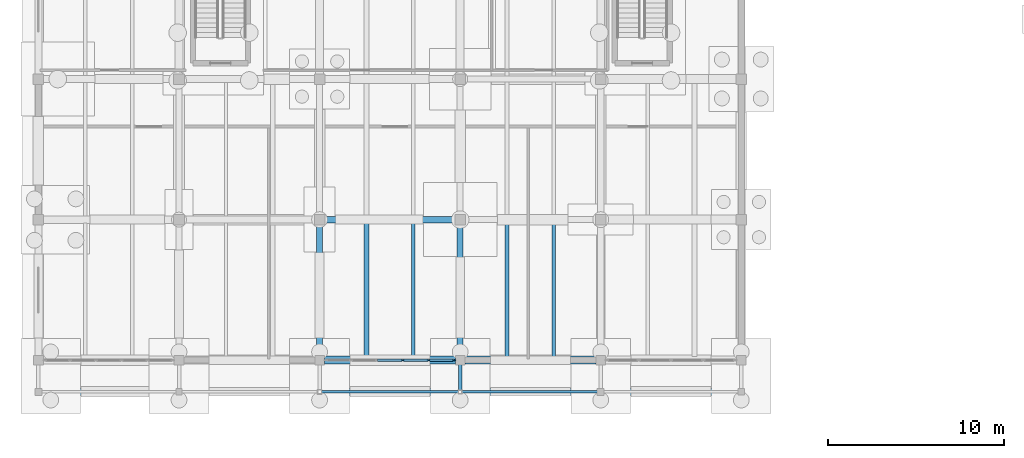
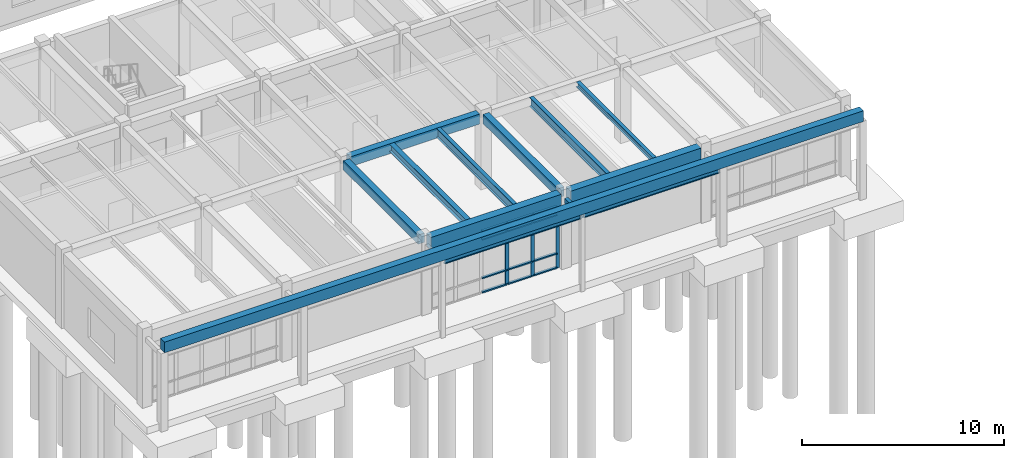
# One storey, part 14 of 64: 15 members, 13 beams, 1 element without a shape of its own.
"""IFC4 building model written with IfcOpenShell, lengths in metres."""

from ifc_helpers import new_model, si_unit, direction, frame, origin, origin_2d, place, context, subcontext, project, spatial, rectangle, hollow_rectangle, i_section, extrude, material, material_profile, profile_set, type_object, element, aggregate, save


model = new_model("IFC4")

# Units and contexts
model_context = context("Model", 3, precision=1e-05, world=origin(), true_north=direction((0.0, 1.0)))
body_context = subcontext(model_context, "Body", "Model", "MODEL_VIEW")
ifc_project = project(units=[si_unit("LENGTHUNIT", "METRE"), si_unit("AREAUNIT", "SQUARE_METRE"), si_unit("VOLUMEUNIT", "CUBIC_METRE"), si_unit("PLANEANGLEUNIT", "RADIAN"), si_unit("MASSUNIT", "GRAM", prefix="KILO")], contexts=[model_context])

# Site, building, storey
site_placement = place(None, origin())
site = spatial("IfcSite", under=ifc_project, at=site_placement, CompositionType="ELEMENT")
building_placement = place(site_placement, origin())
building = spatial("IfcBuilding", under=site, at=building_placement, Name="Tlaxcora Railside Police Headquarters", CompositionType="ELEMENT")
storey_placement = place(building_placement, origin())
storey = spatial("IfcBuildingStorey", under=building, at=storey_placement, Name="L00", CompositionType="ELEMENT", Elevation=0.0)

# Curtain wall, members
ifc_material_1 = material(Name="Thermally broken low-E insulated glazing", Category="glass")
curtain_wall_type = type_object("IfcCurtainWallType", Name="Unitised Curtain Wall Assembly CW-15", PredefinedType="NOTDEFINED", material=ifc_material_1)
curtain_wall_placement = place(storey_placement, origin())
curtain_wall = element("IfcCurtainWall", 1, at=curtain_wall_placement, inside=storey, type_object=curtain_wall_type, Name="V4 L00 curtain wall 22", PredefinedType="NOTDEFINED")
ifc_material_2 = material(Name="Anodised aluminium framing", Category="aluminium")
ifc_material_profile_1 = material_profile(ifc_material_2, rectangle(XDim=0.074951171875, YDim=0.199951171875, at=origin_2d()), Name="AL75X200")
ifc_profile_set_1 = profile_set([ifc_material_profile_1], Name="Anodised aluminium framing")
member_type_1 = type_object("IfcMemberType", Name="Curtain Wall Mullion CW-58", PredefinedType="MULLION", material=ifc_profile_set_1)
member_1_placement = place(storey_placement, frame((25.93505859375, 12.0, 0.0), z_axis=(0.0, 0.0, 1.0), x_axis=(0.0, 1.0, 0.0)))
member_1 = element("IfcMember", 2, at=member_1_placement, type_object=member_type_1, Name="CW mullion 4", PredefinedType="MULLION", context=body_context, shape_type="SweptSolid", body=[
    extrude(rectangle(XDim=0.074951171875, YDim=0.199951171875, at=origin_2d()), origin(), (0.0, 0.0, 1.0), 3.760009765625),
])
member_2_placement = place(storey_placement, frame((27.405029296875, 12.0, 0.0), z_axis=(0.0, 0.0, 1.0), x_axis=(0.0, 1.0, 0.0)))
member_2 = element("IfcMember", 3, at=member_2_placement, type_object=member_type_1, Name="CW mullion 5", PredefinedType="MULLION", context=body_context, shape_type="SweptSolid", body=[
    extrude(rectangle(XDim=0.074951171875, YDim=0.199951171875, at=origin_2d()), origin(), (0.0, 0.0, 1.0), 3.760009765625),
])
member_3_placement = place(storey_placement, frame((28.83740234375, 12.0, 0.0), z_axis=(0.0, 0.0, 1.0), x_axis=(0.0, 1.0, 0.0)))
member_3 = element("IfcMember", 4, at=member_3_placement, type_object=member_type_1, Name="CW mullion 6", PredefinedType="MULLION", context=body_context, shape_type="SweptSolid", body=[
    extrude(rectangle(XDim=0.074951171875, YDim=0.199951171875, at=origin_2d()), origin(), (0.0, 0.0, 1.0), 3.760009765625),
])
ifc_material_profile_2 = material_profile(ifc_material_2, rectangle(XDim=0.14990234375, YDim=0.074951171875, at=origin_2d()), Name="AL75X150")
ifc_profile_set_2 = profile_set([ifc_material_profile_2], Name="Anodised aluminium framing")
member_type_2 = type_object("IfcMemberType", Name="Curtain Wall Transom CW-28", PredefinedType="USERDEFINED", material=ifc_profile_set_2)
member_4_placement = place(storey_placement, frame((24.50244140625, 12.0, 0.03759765625), z_axis=(1.0, 0.0, 0.0), x_axis=(0.0, 1.0, 0.0)))
member_4 = element("IfcMember", 5, at=member_4_placement, type_object=member_type_2, Name="CW transom 3.1", ObjectType="TRANSOM", PredefinedType="USERDEFINED", context=body_context, shape_type="SweptSolid", body=[
    extrude(rectangle(XDim=0.14990234375, YDim=0.074951171875, at=origin_2d()), origin(), (0.0, 0.0, 1.0), 1.39501953125),
])
member_5_placement = place(storey_placement, frame((24.50244140625, 12.0, 0.89990234375), z_axis=(1.0, 0.0, 0.0), x_axis=(0.0, 1.0, 0.0)))
member_5 = element("IfcMember", 6, at=member_5_placement, type_object=member_type_2, Name="CW transom 3.2", ObjectType="TRANSOM", PredefinedType="USERDEFINED", context=body_context, shape_type="SweptSolid", body=[
    extrude(rectangle(XDim=0.14990234375, YDim=0.074951171875, at=origin_2d()), origin(), (0.0, 0.0, 1.0), 1.39501953125),
])
member_6_placement = place(storey_placement, frame((24.50244140625, 12.0, 3.22998046875), z_axis=(1.0, 0.0, 0.0), x_axis=(0.0, 1.0, 0.0)))
member_6 = element("IfcMember", 7, at=member_6_placement, type_object=member_type_2, Name="CW transom 3.3", ObjectType="TRANSOM", PredefinedType="USERDEFINED", context=body_context, shape_type="SweptSolid", body=[
    extrude(rectangle(XDim=0.14990234375, YDim=0.074951171875, at=origin_2d()), origin(), (0.0, 0.0, 1.0), 1.39501953125),
])
member_7_placement = place(storey_placement, frame((24.50244140625, 12.0, 3.722412109375), z_axis=(1.0, 0.0, 0.0), x_axis=(0.0, 1.0, 0.0)))
member_7 = element("IfcMember", 8, at=member_7_placement, type_object=member_type_2, Name="CW transom 3.4", ObjectType="TRANSOM", PredefinedType="USERDEFINED", context=body_context, shape_type="SweptSolid", body=[
    extrude(rectangle(XDim=0.14990234375, YDim=0.074951171875, at=origin_2d()), origin(), (0.0, 0.0, 1.0), 1.39501953125),
])
member_8_placement = place(storey_placement, frame((25.972412109375, 12.0, 0.03759765625), z_axis=(1.0, 0.0, 0.0), x_axis=(0.0, 1.0, 0.0)))
member_8 = element("IfcMember", 9, at=member_8_placement, type_object=member_type_2, Name="CW transom 4.1", ObjectType="TRANSOM", PredefinedType="USERDEFINED", context=body_context, shape_type="SweptSolid", body=[
    extrude(rectangle(XDim=0.14990234375, YDim=0.074951171875, at=origin_2d()), origin(), (0.0, 0.0, 1.0), 1.39501953125),
])
member_9_placement = place(storey_placement, frame((25.972412109375, 12.0, 0.89990234375), z_axis=(1.0, 0.0, 0.0), x_axis=(0.0, 1.0, 0.0)))
member_9 = element("IfcMember", 10, at=member_9_placement, type_object=member_type_2, Name="CW transom 4.2", ObjectType="TRANSOM", PredefinedType="USERDEFINED", context=body_context, shape_type="SweptSolid", body=[
    extrude(rectangle(XDim=0.14990234375, YDim=0.074951171875, at=origin_2d()), origin(), (0.0, 0.0, 1.0), 1.39501953125),
])
member_10_placement = place(storey_placement, frame((25.972412109375, 12.0, 3.22998046875), z_axis=(1.0, 0.0, 0.0), x_axis=(0.0, 1.0, 0.0)))
member_10 = element("IfcMember", 11, at=member_10_placement, type_object=member_type_2, Name="CW transom 4.3", ObjectType="TRANSOM", PredefinedType="USERDEFINED", context=body_context, shape_type="SweptSolid", body=[
    extrude(rectangle(XDim=0.14990234375, YDim=0.074951171875, at=origin_2d()), origin(), (0.0, 0.0, 1.0), 1.39501953125),
])
member_11_placement = place(storey_placement, frame((25.972412109375, 12.0, 3.722412109375), z_axis=(1.0, 0.0, 0.0), x_axis=(0.0, 1.0, 0.0)))
member_11 = element("IfcMember", 12, at=member_11_placement, type_object=member_type_2, Name="CW transom 4.4", ObjectType="TRANSOM", PredefinedType="USERDEFINED", context=body_context, shape_type="SweptSolid", body=[
    extrude(rectangle(XDim=0.14990234375, YDim=0.074951171875, at=origin_2d()), origin(), (0.0, 0.0, 1.0), 1.39501953125),
])
member_12_placement = place(storey_placement, frame((27.4423828125, 12.0, 0.03759765625), z_axis=(1.0, 0.0, 0.0), x_axis=(0.0, 1.0, 0.0)))
member_12 = element("IfcMember", 13, at=member_12_placement, type_object=member_type_2, Name="CW transom 5.1", ObjectType="TRANSOM", PredefinedType="USERDEFINED", context=body_context, shape_type="SweptSolid", body=[
    extrude(rectangle(XDim=0.14990234375, YDim=0.074951171875, at=origin_2d()), origin(), (0.0, 0.0, 1.0), 1.357666015625),
])
member_13_placement = place(storey_placement, frame((27.4423828125, 12.0, 0.89990234375), z_axis=(1.0, 0.0, 0.0), x_axis=(0.0, 1.0, 0.0)))
member_13 = element("IfcMember", 14, at=member_13_placement, type_object=member_type_2, Name="CW transom 5.2", ObjectType="TRANSOM", PredefinedType="USERDEFINED", context=body_context, shape_type="SweptSolid", body=[
    extrude(rectangle(XDim=0.14990234375, YDim=0.074951171875, at=origin_2d()), origin(), (0.0, 0.0, 1.0), 1.357666015625),
])
member_14_placement = place(storey_placement, frame((27.4423828125, 12.0, 3.22998046875), z_axis=(1.0, 0.0, 0.0), x_axis=(0.0, 1.0, 0.0)))
member_14 = element("IfcMember", 15, at=member_14_placement, type_object=member_type_2, Name="CW transom 5.3", ObjectType="TRANSOM", PredefinedType="USERDEFINED", context=body_context, shape_type="SweptSolid", body=[
    extrude(rectangle(XDim=0.14990234375, YDim=0.074951171875, at=origin_2d()), origin(), (0.0, 0.0, 1.0), 1.357666015625),
])
member_15_placement = place(storey_placement, frame((27.4423828125, 12.0, 3.722412109375), z_axis=(1.0, 0.0, 0.0), x_axis=(0.0, 1.0, 0.0)))
member_15 = element("IfcMember", 16, at=member_15_placement, type_object=member_type_2, Name="CW transom 5.4", ObjectType="TRANSOM", PredefinedType="USERDEFINED", context=body_context, shape_type="SweptSolid", body=[
    extrude(rectangle(XDim=0.14990234375, YDim=0.074951171875, at=origin_2d()), origin(), (0.0, 0.0, 1.0), 1.357666015625),
])
aggregate(curtain_wall, [member_1, member_2, member_3, member_4, member_5, member_6, member_7, member_8, member_9, member_10, member_11, member_12, member_13, member_14, member_15])

# Beams
ifc_material_3 = material(Name="Steel ASTM A992 Grade 50", Category="steel")
ifc_material_profile_3 = material_profile(ifc_material_3, i_section(OverallWidth=0.14599609375, OverallDepth=0.258056640625, WebThickness=0.006103515625, FlangeThickness=0.009033203125, at=origin_2d()), Name="W10X22")
ifc_profile_set_3 = profile_set([ifc_material_profile_3], Name="Steel ASTM A992 Grade 50")
beam_type_1 = type_object("IfcBeamType", Name="Opening Lintel Beam BM-36", PredefinedType="LINTEL", material=ifc_profile_set_3)
for number, where, z_axis, x_axis, name in (
    (17, (21.300048828125, 10.199951171875, 4.10009765625), (1.0, 0.0, 0.0), (0.0, 1.0, 0.0), "Forecourt loggia lintel X=21.2..29.2"),
    (18, (29.300048828125, 10.199951171875, 4.10009765625), (1.0, 0.0, 0.0), (0.0, 1.0, 0.0), "Forecourt loggia lintel X=29.2..37.2"),
):
    element("IfcBeam", number, at=place(storey_placement, frame(where, z_axis=z_axis, x_axis=x_axis)), inside=storey, type_object=beam_type_1, Name=name, PredefinedType="LINTEL", context=body_context, shape_type="SweptSolid", body=[
        extrude(i_section(OverallWidth=0.14599609375, OverallDepth=0.258056640625, WebThickness=0.006103515625, FlangeThickness=0.009033203125, at=origin_2d()), origin(), (0.0, 0.0, 1.0), 7.800048828125),
    ])
ifc_material_profile_4 = material_profile(ifc_material_3, hollow_rectangle(XDim=0.199951171875, YDim=0.300048828125, WallThickness=0.010009765625, at=origin_2d()), Name="HSS300X200X10")
ifc_profile_set_4 = profile_set([ifc_material_profile_4], Name="Steel ASTM A992 Grade 50")
beam_type_2 = type_object("IfcBeamType", Name="Opening Lintel Beam BM-74", PredefinedType="LINTEL", material=ifc_profile_set_4)
beam_1_placement = place(storey_placement, frame((29.199951171875, 10.199951171875, 4.10009765625), z_axis=(0.0, 1.0, 0.0), x_axis=(-1.0, 0.0, 0.0)))
element("IfcBeam", 19, at=beam_1_placement, inside=storey, type_object=beam_type_2, Name="Forecourt loggia tie beam X=29.2", PredefinedType="LINTEL", context=body_context, shape_type="SweptSolid", body=[
    extrude(hollow_rectangle(XDim=0.199951171875, YDim=0.300048828125, WallThickness=0.010009765625, at=origin_2d()), origin(), (0.0, 0.0, 1.0), 1.550048828125),
])
ifc_material_4 = material(Name="Concrete C40/50", Category="concrete")
ifc_material_profile_5 = material_profile(ifc_material_4, rectangle(XDim=0.39990234375, YDim=0.64990234375, at=origin_2d()), Name="RC400X650")
ifc_profile_set_5 = profile_set([ifc_material_profile_5], Name="Concrete C40/50")
beam_type_3 = type_object("IfcBeamType", Name="Perimeter Spandrel Beam BM-46", PredefinedType="SPANDREL", material=ifc_profile_set_5)
beam_2_placement = place(storey_placement, frame((5.199951171875, 10.199951171875, 4.64501953125), z_axis=(1.0, 0.0, 0.0), x_axis=(0.0, 1.0, 0.0)))
element("IfcBeam", 20, at=beam_2_placement, inside=storey, type_object=beam_type_3, Name="Forecourt colonnade brow beam 1", PredefinedType="SPANDREL", context=body_context, shape_type="SweptSolid", body=[
    extrude(rectangle(XDim=0.39990234375, YDim=0.64990234375, at=origin_2d()), origin(), (0.0, 0.0, 1.0), 40.0),
])
ifc_material_profile_6 = material_profile(ifc_material_4, rectangle(XDim=0.449951171875, YDim=0.75, at=origin_2d()), Name="RC450X750")
ifc_profile_set_6 = profile_set([ifc_material_profile_6], Name="Concrete C40/50")
beam_type_4 = type_object("IfcBeamType", Name="Perimeter Spandrel Beam BM-86", PredefinedType="SPANDREL", material=ifc_profile_set_6)
for number, where, z_axis, x_axis, name in (
    (21, (21.465087890625, 12.0, 4.155029296875), (1.0, 0.0, 0.0), (0.0, 1.0, 0.0), "V4 L00 X-girder Y=12.0"),
    (22, (29.465087890625, 12.0, 4.155029296875), (1.0, 0.0, 0.0), (0.0, 1.0, 0.0), "V4 L00 X-girder Y=12.0"),
):
    element("IfcBeam", number, at=place(storey_placement, frame(where, z_axis=z_axis, x_axis=x_axis)), inside=storey, type_object=beam_type_4, Name=name, PredefinedType="SPANDREL", context=body_context, shape_type="SweptSolid", body=[
        extrude(rectangle(XDim=0.449951171875, YDim=0.75, at=origin_2d()), origin(), (0.0, 0.0, 1.0), 7.469970703125),
    ])
ifc_material_profile_7 = material_profile(ifc_material_4, rectangle(XDim=0.3798828125, YDim=0.60009765625, at=origin_2d()), Name="RC380X600")
ifc_profile_set_7 = profile_set([ifc_material_profile_7], Name="Concrete C40/50")
beam_type_5 = type_object("IfcBeamType", Name="Primary Frame Girder BM-22", PredefinedType="BEAM", material=ifc_profile_set_7)
beam_3_placement = place(storey_placement, frame((21.489990234375, 20.0, 4.22998046875), z_axis=(1.0, 0.0, 0.0), x_axis=(0.0, 1.0, 0.0)))
element("IfcBeam", 23, at=beam_3_placement, inside=storey, type_object=beam_type_5, Name="V4 L00 X-girder Y=20.0", PredefinedType="BEAM", context=body_context, shape_type="SweptSolid", body=[
    extrude(rectangle(XDim=0.3798828125, YDim=0.60009765625, at=origin_2d()), origin(), (0.0, 0.0, 1.0), 7.419921875),
])
ifc_material_profile_8 = material_profile(ifc_material_4, rectangle(XDim=0.35009765625, YDim=0.550048828125, at=origin_2d()), Name="RC350X550")
ifc_profile_set_8 = profile_set([ifc_material_profile_8], Name="Concrete C40/50")
beam_type_6 = type_object("IfcBeamType", Name="Primary Frame Girder BM-39", PredefinedType="BEAM", material=ifc_profile_set_8)
for number, where, z_axis, x_axis, name in (
    (24, (21.199951171875, 12.264892578125, 4.2548828125), (0.0, 1.0, 0.0), (-1.0, 0.0, 0.0), "V4 L00 Y-girder X=21.2"),
    (25, (29.199951171875, 12.264892578125, 4.2548828125), (0.0, 1.0, 0.0), (-1.0, 0.0, 0.0), "V4 L00 Y-girder X=29.2"),
):
    element("IfcBeam", number, at=place(storey_placement, frame(where, z_axis=z_axis, x_axis=x_axis)), inside=storey, type_object=beam_type_6, Name=name, PredefinedType="BEAM", context=body_context, shape_type="SweptSolid", body=[
        extrude(rectangle(XDim=0.35009765625, YDim=0.550048828125, at=origin_2d()), origin(), (0.0, 0.0, 1.0), 7.445068359375),
    ])
ifc_material_profile_9 = material_profile(ifc_material_3, i_section(OverallWidth=0.280029296875, OverallDepth=0.4619140625, WebThickness=0.0107421875, FlangeThickness=0.017333984375, at=origin_2d()), Name="W18X76")
ifc_profile_set_9 = profile_set([ifc_material_profile_9], Name="Steel ASTM A992 Grade 50")
beam_type_7 = type_object("IfcBeamType", Name="Secondary Floor Joist BM-44", PredefinedType="JOIST", material=ifc_profile_set_9)
beam_4_placement = place(storey_placement, frame((23.86669921875, 12.217041015625, 4.299072265625), z_axis=(0.0, 1.0, 0.0), x_axis=(-1.0, 0.0, 0.0)))
element("IfcBeam", 26, at=beam_4_placement, inside=storey, type_object=beam_type_7, Name="V4 L00 floor joist X=23.87", PredefinedType="JOIST", context=body_context, shape_type="SweptSolid", body=[
    extrude(i_section(OverallWidth=0.280029296875, OverallDepth=0.4619140625, WebThickness=0.0107421875, FlangeThickness=0.017333984375, at=origin_2d()), origin(), (0.0, 0.0, 1.0), 7.60107421875),
])
ifc_material_profile_10 = material_profile(ifc_material_3, i_section(OverallWidth=0.202880859375, OverallDepth=0.302978515625, WebThickness=0.007568359375, FlangeThickness=0.01318359375, at=origin_2d()), Name="W12X40")
ifc_profile_set_10 = profile_set([ifc_material_profile_10], Name="Steel ASTM A992 Grade 50")
beam_type_8 = type_object("IfcBeamType", Name="Secondary Floor Joist BM-96", PredefinedType="JOIST", material=ifc_profile_set_10)
beam_5_placement = place(storey_placement, frame((34.533203125, 12.217041015625, 4.37841796875), z_axis=(0.0, 1.0, 0.0), x_axis=(-1.0, 0.0, 0.0)))
element("IfcBeam", 27, at=beam_5_placement, inside=storey, type_object=beam_type_8, Name="V4 L00 floor joist X=34.53", PredefinedType="JOIST", context=body_context, shape_type="SweptSolid", body=[
    extrude(i_section(OverallWidth=0.202880859375, OverallDepth=0.302978515625, WebThickness=0.007568359375, FlangeThickness=0.01318359375, at=origin_2d()), origin(), (0.0, 0.0, 1.0), 7.615966796875),
])
ifc_material_profile_11 = material_profile(ifc_material_3, i_section(OverallWidth=0.214111328125, OverallDepth=0.549072265625, WebThickness=0.0146484375, FlangeThickness=0.023681640625, at=origin_2d()), Name="W21X93")
ifc_profile_set_11 = profile_set([ifc_material_profile_11], Name="Steel ASTM A992 Grade 50")
beam_type_9 = type_object("IfcBeamType", Name="Secondary Floor Joist BM-97", PredefinedType="JOIST", material=ifc_profile_set_11)
beam_6_placement = place(storey_placement, frame((26.533203125, 12.217041015625, 4.255615234375), z_axis=(0.0, 1.0, 0.0), x_axis=(-1.0, 0.0, 0.0)))
element("IfcBeam", 28, at=beam_6_placement, inside=storey, type_object=beam_type_9, Name="V4 L00 floor joist X=26.53", PredefinedType="JOIST", context=body_context, shape_type="SweptSolid", body=[
    extrude(i_section(OverallWidth=0.214111328125, OverallDepth=0.549072265625, WebThickness=0.0146484375, FlangeThickness=0.023681640625, at=origin_2d()), origin(), (0.0, 0.0, 1.0), 7.60107421875),
])
beam_7_placement = place(storey_placement, frame((31.86669921875, 12.217041015625, 4.255615234375), z_axis=(0.0, 1.0, 0.0), x_axis=(-1.0, 0.0, 0.0)))
element("IfcBeam", 29, at=beam_7_placement, inside=storey, type_object=beam_type_9, Name="V4 L00 floor joist X=31.87", PredefinedType="JOIST", context=body_context, shape_type="SweptSolid", body=[
    extrude(i_section(OverallWidth=0.214111328125, OverallDepth=0.549072265625, WebThickness=0.0146484375, FlangeThickness=0.023681640625, at=origin_2d()), origin(), (0.0, 0.0, 1.0), 7.615966796875),
])

save(model, "model.ifc")
